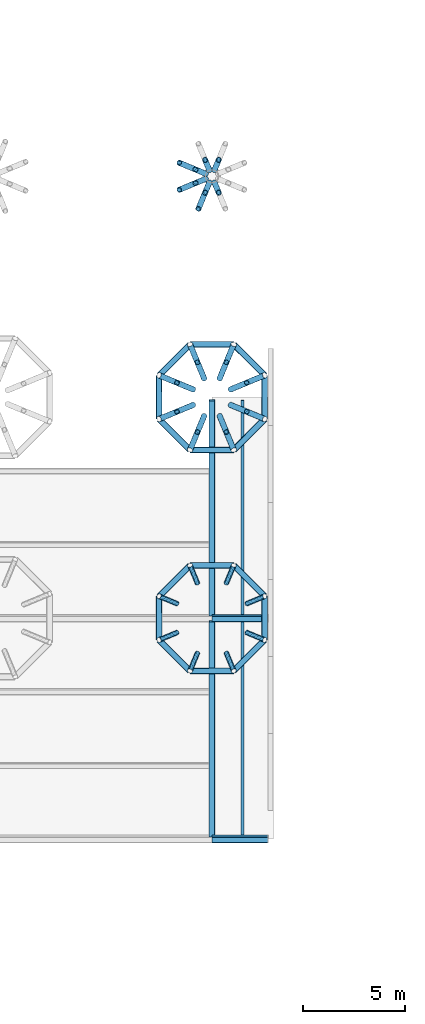
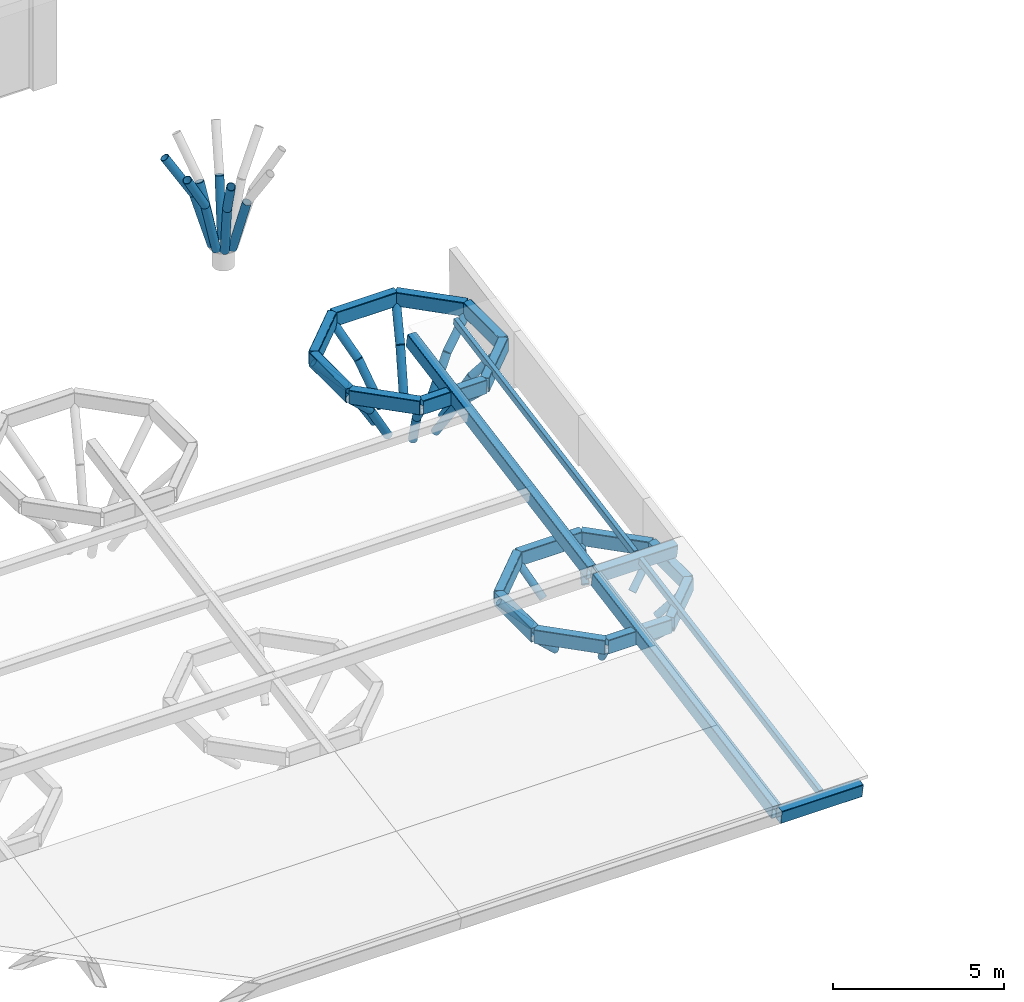
# One storey, part 12 of 42: 33 members, 22 beams.
"""IFC4 building model written with IfcOpenShell, lengths in metres."""

from ifc_helpers import new_model, si_unit, direction, frame, origin, origin_2d, place, context, subcontext, project, spatial, hollow_rectangle, hollow_circle, extrude, clip, halfspace, material, material_profile, profile_set, type_object, element, save


model = new_model("IFC4")

# Units and contexts
model_context = context("Model", 3, precision=1e-05, world=origin(), true_north=direction((0.0, 1.0)))
body_context = subcontext(model_context, "Body", "Model", "MODEL_VIEW")
ifc_project = project(units=[si_unit("LENGTHUNIT", "METRE"), si_unit("AREAUNIT", "SQUARE_METRE"), si_unit("VOLUMEUNIT", "CUBIC_METRE"), si_unit("PLANEANGLEUNIT", "RADIAN"), si_unit("MASSUNIT", "GRAM", prefix="KILO")], contexts=[model_context])

# Site, building, storey
site_placement = place(None, origin())
site = spatial("IfcSite", under=ifc_project, at=site_placement, CompositionType="ELEMENT")
building_placement = place(site_placement, origin())
building = spatial("IfcBuilding", under=site, at=building_placement, Name="Magnolia Steps Interchange", CompositionType="ELEMENT")
storey_placement = place(building_placement, frame((0.0, 0.0, 12.60009765625)))
storey = spatial("IfcBuildingStorey", under=building, at=storey_placement, Name="L03", CompositionType="ELEMENT", Elevation=12.60009765625)

# Beams
ifc_material_1 = material(Name="Steel Q355B", Category="steel")
ifc_material_profile_1 = material_profile(ifc_material_1, hollow_rectangle(XDim=0.300048828125, YDim=0.5, WallThickness=0.01611328125, InnerFilletRadius=0.01611328125, OuterFilletRadius=0.031982421875, at=origin_2d()), Name="RHS500x300x16")
ifc_profile_set_1 = profile_set([ifc_material_profile_1], Name="Steel Q355B")
beam_type_1 = type_object("IfcBeamType", Name="Ring beam RHS500x300x16", PredefinedType="BEAM", material=ifc_profile_set_1)
beam_1_placement = place(storey_placement, frame((120.580078125, 65.068603515625, 1.5), z_axis=(-0.707106781187, 0.707106781187, 0.0), x_axis=(-0.707106781187, -0.707106781187, 0.0)))
element("IfcBeam", 1, at=beam_1_placement, inside=storey, type_object=beam_type_1, Name="Ring beam TH07C", PredefinedType="BEAM", context=body_context, shape_type="Clipping", body=[
    clip(clip(extrude(hollow_rectangle(XDim=0.300048828125, YDim=0.5, WallThickness=0.01611328125, InnerFilletRadius=0.01611328125, OuterFilletRadius=0.031982421875, at=origin_2d()), origin(), (0.0, 0.0, 1.0), 2.137451171875), halfspace(frame((0.0, 0.0, 0.0), z_axis=(0.382683433, 0.0, -0.923879532), x_axis=(0.923879532, 0.0, 0.382683433)), False)), halfspace(frame((0.0, 0.0, 2.137547892), z_axis=(0.382683433, 0.0, 0.923879532), x_axis=(0.923879532, 0.0, -0.382683433)), False)),
])
beam_2_placement = place(storey_placement, frame((119.068603515625, 66.580078125, 1.5), z_axis=(-1.0, 0.0, 0.0), x_axis=(0.0, -1.0, 0.0)))
element("IfcBeam", 2, at=beam_2_placement, inside=storey, type_object=beam_type_1, Name="Ring beam TH07C", PredefinedType="BEAM", context=body_context, shape_type="Clipping", body=[
    clip(clip(extrude(hollow_rectangle(XDim=0.300048828125, YDim=0.5, WallThickness=0.01611328125, InnerFilletRadius=0.01611328125, OuterFilletRadius=0.031982421875, at=origin_2d()), origin(), (0.0, 0.0, 1.0), 2.13720703125), halfspace(frame((0.0, 0.0, 0.0), z_axis=(0.382683432, 0.0, -0.923879533), x_axis=(0.923879533, 0.0, 0.382683432)), False)), halfspace(frame((0.0, 0.0, 2.137207031), z_axis=(0.382683432, 0.0, 0.923879533), x_axis=(0.923879533, 0.0, -0.382683432)), False)),
])
beam_3_placement = place(storey_placement, frame((116.931396484375, 66.580078125, 1.5), z_axis=(-0.707106781187, -0.707106781187, 0.0), x_axis=(0.707106781187, -0.707106781187, 0.0)))
element("IfcBeam", 3, at=beam_3_placement, inside=storey, type_object=beam_type_1, Name="Ring beam TH07C", PredefinedType="BEAM", context=body_context, shape_type="Clipping", body=[
    clip(clip(extrude(hollow_rectangle(XDim=0.300048828125, YDim=0.5, WallThickness=0.01611328125, InnerFilletRadius=0.01611328125, OuterFilletRadius=0.031982421875, at=origin_2d()), origin(), (0.0, 0.0, 1.0), 2.137451171875), halfspace(frame((0.0, 0.0, 0.0), z_axis=(0.382683433, 0.0, -0.923879532), x_axis=(0.923879532, 0.0, 0.382683433)), False)), halfspace(frame((0.0, 0.0, 2.137547892), z_axis=(0.382683433, 0.0, 0.923879532), x_axis=(0.923879532, 0.0, -0.382683433)), False)),
])
beam_4_placement = place(storey_placement, frame((115.419921875, 65.068603515625, 1.5), z_axis=(0.0, -1.0, 0.0), x_axis=(1.0, 0.0, 0.0)))
element("IfcBeam", 4, at=beam_4_placement, inside=storey, type_object=beam_type_1, Name="Ring beam TH07C", PredefinedType="BEAM", context=body_context, shape_type="Clipping", body=[
    clip(clip(extrude(hollow_rectangle(XDim=0.300048828125, YDim=0.5, WallThickness=0.01611328125, InnerFilletRadius=0.01611328125, OuterFilletRadius=0.031982421875, at=origin_2d()), origin(), (0.0, 0.0, 1.0), 2.13720703125), halfspace(frame((0.0, 0.0, 0.0), z_axis=(0.382683432, 0.0, -0.923879533), x_axis=(0.923879533, 0.0, 0.382683432)), False)), halfspace(frame((0.0, 0.0, 2.137207031), z_axis=(0.382683432, 0.0, 0.923879533), x_axis=(0.923879533, 0.0, -0.382683432)), False)),
])
beam_5_placement = place(storey_placement, frame((115.419921875, 62.931396484375, 1.5), z_axis=(0.707106781187, -0.707106781187, 0.0), x_axis=(0.707106781187, 0.707106781187, 0.0)))
element("IfcBeam", 5, at=beam_5_placement, inside=storey, type_object=beam_type_1, Name="Ring beam TH07C", PredefinedType="BEAM", context=body_context, shape_type="Clipping", body=[
    clip(clip(extrude(hollow_rectangle(XDim=0.300048828125, YDim=0.5, WallThickness=0.01611328125, InnerFilletRadius=0.01611328125, OuterFilletRadius=0.031982421875, at=origin_2d()), origin(), (0.0, 0.0, 1.0), 2.137451171875), halfspace(frame((0.0, 0.0, 0.0), z_axis=(0.382683433, 0.0, -0.923879532), x_axis=(0.923879532, 0.0, 0.382683433)), False)), halfspace(frame((0.0, 0.0, 2.137547892), z_axis=(0.382683433, 0.0, 0.923879532), x_axis=(0.923879532, 0.0, -0.382683433)), False)),
])
beam_6_placement = place(storey_placement, frame((116.931396484375, 61.419921875, 1.5), z_axis=(1.0, 0.0, 0.0), x_axis=(0.0, 1.0, 0.0)))
element("IfcBeam", 6, at=beam_6_placement, inside=storey, type_object=beam_type_1, Name="Ring beam TH07C", PredefinedType="BEAM", context=body_context, shape_type="Clipping", body=[
    clip(clip(extrude(hollow_rectangle(XDim=0.300048828125, YDim=0.5, WallThickness=0.01611328125, InnerFilletRadius=0.01611328125, OuterFilletRadius=0.031982421875, at=origin_2d()), origin(), (0.0, 0.0, 1.0), 2.13720703125), halfspace(frame((0.0, 0.0, 0.0), z_axis=(0.382683432, 0.0, -0.923879533), x_axis=(0.923879533, 0.0, 0.382683432)), False)), halfspace(frame((0.0, 0.0, 2.137207031), z_axis=(0.382683432, 0.0, 0.923879533), x_axis=(0.923879533, 0.0, -0.382683432)), False)),
])
beam_7_placement = place(storey_placement, frame((119.068603515625, 61.419921875, 1.5), z_axis=(0.707106781187, 0.707106781187, 0.0), x_axis=(-0.707106781187, 0.707106781187, 0.0)))
element("IfcBeam", 7, at=beam_7_placement, inside=storey, type_object=beam_type_1, Name="Ring beam TH07C", PredefinedType="BEAM", context=body_context, shape_type="Clipping", body=[
    clip(clip(extrude(hollow_rectangle(XDim=0.300048828125, YDim=0.5, WallThickness=0.01611328125, InnerFilletRadius=0.01611328125, OuterFilletRadius=0.031982421875, at=origin_2d()), origin(), (0.0, 0.0, 1.0), 2.137451171875), halfspace(frame((0.0, 0.0, 0.0), z_axis=(0.382683433, 0.0, -0.923879532), x_axis=(0.923879532, 0.0, 0.382683433)), False)), halfspace(frame((0.0, 0.0, 2.137547892), z_axis=(0.382683433, 0.0, 0.923879532), x_axis=(0.923879532, 0.0, -0.382683433)), False)),
])
beam_8_placement = place(storey_placement, frame((120.580078125, 62.931396484375, 1.5), z_axis=(0.0, 1.0, 0.0), x_axis=(-1.0, 0.0, 0.0)))
element("IfcBeam", 8, at=beam_8_placement, inside=storey, type_object=beam_type_1, Name="Ring beam TH07C", PredefinedType="BEAM", context=body_context, shape_type="Clipping", body=[
    clip(clip(extrude(hollow_rectangle(XDim=0.300048828125, YDim=0.5, WallThickness=0.01611328125, InnerFilletRadius=0.01611328125, OuterFilletRadius=0.031982421875, at=origin_2d()), origin(), (0.0, 0.0, 1.0), 2.13720703125), halfspace(frame((0.0, 0.0, 0.0), z_axis=(0.382683432, 0.0, -0.923879533), x_axis=(0.923879533, 0.0, 0.382683432)), False)), halfspace(frame((0.0, 0.0, 2.137207031), z_axis=(0.382683432, 0.0, 0.923879533), x_axis=(0.923879533, 0.0, -0.382683432)), False)),
])
beam_9_placement = place(storey_placement, frame((120.580078125, 75.86865234375, 3.4755859375), z_axis=(-0.707163891131, 0.707049666629, 0.0), x_axis=(-0.707049666629, -0.707163891131, 0.0)))
element("IfcBeam", 9, at=beam_9_placement, inside=storey, type_object=beam_type_1, Name="Ring beam TH07D", PredefinedType="BEAM", context=body_context, shape_type="Clipping", body=[
    clip(clip(extrude(hollow_rectangle(XDim=0.300048828125, YDim=0.5, WallThickness=0.01611328125, InnerFilletRadius=0.01611328125, OuterFilletRadius=0.031982421875, at=origin_2d()), origin(), (0.0, 0.0, 1.0), 2.137451171875), halfspace(frame((0.0, 0.0, 0.0), z_axis=(0.382758052, 0.0, -0.92384862), x_axis=(0.923848621, 0.0, 0.382758052)), False)), halfspace(frame((0.0, 0.0, 2.137375265), z_axis=(0.382608811, 0.0, 0.923910438), x_axis=(0.923910438, 0.0, -0.382608811)), False)),
])
beam_10_placement = place(storey_placement, frame((119.068603515625, 77.3798828125, 3.4755859375), z_axis=(-1.0, 0.0, 0.0), x_axis=(0.0, -1.0, 0.0)))
element("IfcBeam", 10, at=beam_10_placement, inside=storey, type_object=beam_type_1, Name="Ring beam TH07D", PredefinedType="BEAM", context=body_context, shape_type="Clipping", body=[
    clip(clip(extrude(hollow_rectangle(XDim=0.300048828125, YDim=0.5, WallThickness=0.01611328125, InnerFilletRadius=0.01611328125, OuterFilletRadius=0.031982421875, at=origin_2d()), origin(), (0.0, 0.0, 1.0), 2.13720703125), halfspace(frame((0.0, 0.0, 0.0), z_axis=(0.382683432, 0.0, -0.923879533), x_axis=(0.923879533, 0.0, 0.382683432)), False)), halfspace(frame((0.0, 0.0, 2.137207031), z_axis=(0.382683432, 0.0, 0.923879533), x_axis=(0.923879533, 0.0, -0.382683432)), False)),
])
beam_11_placement = place(storey_placement, frame((116.931396484375, 77.3798828125, 3.4755859375), z_axis=(-0.707163891131, -0.707049666629, 0.0), x_axis=(0.707049666629, -0.707163891131, 0.0)))
element("IfcBeam", 11, at=beam_11_placement, inside=storey, type_object=beam_type_1, Name="Ring beam TH07D", PredefinedType="BEAM", context=body_context, shape_type="Clipping", body=[
    clip(clip(extrude(hollow_rectangle(XDim=0.300048828125, YDim=0.5, WallThickness=0.01611328125, InnerFilletRadius=0.01611328125, OuterFilletRadius=0.031982421875, at=origin_2d()), origin(), (0.0, 0.0, 1.0), 2.137451171875), halfspace(frame((0.0, 0.0, 0.0), z_axis=(0.382608811, 0.0, -0.923910438), x_axis=(0.923910438, 0.0, 0.382608811)), False)), halfspace(frame((0.0, 0.0, 2.137375265), z_axis=(0.382758052, 0.0, 0.92384862), x_axis=(0.923848621, 0.0, -0.382758052)), False)),
])
beam_12_placement = place(storey_placement, frame((115.419921875, 75.86865234375, 3.4755859375), z_axis=(0.0, -1.0, 0.0), x_axis=(1.0, 0.0, 0.0)))
element("IfcBeam", 12, at=beam_12_placement, inside=storey, type_object=beam_type_1, Name="Ring beam TH07D", PredefinedType="BEAM", context=body_context, shape_type="Clipping", body=[
    clip(clip(extrude(hollow_rectangle(XDim=0.300048828125, YDim=0.5, WallThickness=0.01611328125, InnerFilletRadius=0.01611328125, OuterFilletRadius=0.031982421875, at=origin_2d()), origin(), (0.0, 0.0, 1.0), 2.137451171875), halfspace(frame((0.0, 0.0, 0.0), z_axis=(0.382683432, 0.0, -0.923879533), x_axis=(0.923879533, 0.0, 0.382683432)), False)), halfspace(frame((0.0, 0.0, 2.137451172), z_axis=(0.382683432, 0.0, 0.923879533), x_axis=(0.923879533, 0.0, -0.382683432)), False)),
])
beam_13_placement = place(storey_placement, frame((115.419921875, 73.731201171875, 3.4755859375), z_axis=(0.707163891131, -0.707049666629, 0.0), x_axis=(0.707049666629, 0.707163891131, 0.0)))
element("IfcBeam", 13, at=beam_13_placement, inside=storey, type_object=beam_type_1, Name="Ring beam TH07D", PredefinedType="BEAM", context=body_context, shape_type="Clipping", body=[
    clip(clip(extrude(hollow_rectangle(XDim=0.300048828125, YDim=0.5, WallThickness=0.01611328125, InnerFilletRadius=0.01611328125, OuterFilletRadius=0.031982421875, at=origin_2d()), origin(), (0.0, 0.0, 1.0), 2.137451171875), halfspace(frame((0.0, 0.0, 0.0), z_axis=(0.382758052, 0.0, -0.92384862), x_axis=(0.923848621, 0.0, 0.382758052)), False)), halfspace(frame((0.0, 0.0, 2.137375265), z_axis=(0.382608811, 0.0, 0.923910438), x_axis=(0.923910438, 0.0, -0.382608811)), False)),
])
beam_14_placement = place(storey_placement, frame((116.931396484375, 72.219970703125, 3.4755859375), z_axis=(1.0, 0.0, 0.0), x_axis=(0.0, 1.0, 0.0)))
element("IfcBeam", 14, at=beam_14_placement, inside=storey, type_object=beam_type_1, Name="Ring beam TH07D", PredefinedType="BEAM", context=body_context, shape_type="Clipping", body=[
    clip(clip(extrude(hollow_rectangle(XDim=0.300048828125, YDim=0.5, WallThickness=0.01611328125, InnerFilletRadius=0.01611328125, OuterFilletRadius=0.031982421875, at=origin_2d()), origin(), (0.0, 0.0, 1.0), 2.13720703125), halfspace(frame((0.0, 0.0, 0.0), z_axis=(0.382683432, 0.0, -0.923879533), x_axis=(0.923879533, 0.0, 0.382683432)), False)), halfspace(frame((0.0, 0.0, 2.137207031), z_axis=(0.382683432, 0.0, 0.923879533), x_axis=(0.923879533, 0.0, -0.382683432)), False)),
])
beam_15_placement = place(storey_placement, frame((119.068603515625, 72.219970703125, 3.4755859375), z_axis=(0.707163891131, 0.707049666629, 0.0), x_axis=(-0.707049666629, 0.707163891131, 0.0)))
element("IfcBeam", 15, at=beam_15_placement, inside=storey, type_object=beam_type_1, Name="Ring beam TH07D", PredefinedType="BEAM", context=body_context, shape_type="Clipping", body=[
    clip(clip(extrude(hollow_rectangle(XDim=0.300048828125, YDim=0.5, WallThickness=0.01611328125, InnerFilletRadius=0.01611328125, OuterFilletRadius=0.031982421875, at=origin_2d()), origin(), (0.0, 0.0, 1.0), 2.137451171875), halfspace(frame((0.0, 0.0, 0.0), z_axis=(0.382608811, 0.0, -0.923910438), x_axis=(0.923910438, 0.0, 0.382608811)), False)), halfspace(frame((0.0, 0.0, 2.137375265), z_axis=(0.382758052, 0.0, 0.92384862), x_axis=(0.923848621, 0.0, -0.382758052)), False)),
])
beam_16_placement = place(storey_placement, frame((120.580078125, 73.731201171875, 3.4755859375), z_axis=(0.0, 1.0, 0.0), x_axis=(-1.0, 0.0, 0.0)))
element("IfcBeam", 16, at=beam_16_placement, inside=storey, type_object=beam_type_1, Name="Ring beam TH07D", PredefinedType="BEAM", context=body_context, shape_type="Clipping", body=[
    clip(clip(extrude(hollow_rectangle(XDim=0.300048828125, YDim=0.5, WallThickness=0.01611328125, InnerFilletRadius=0.01611328125, OuterFilletRadius=0.031982421875, at=origin_2d()), origin(), (0.0, 0.0, 1.0), 2.137451171875), halfspace(frame((0.0, 0.0, 0.0), z_axis=(0.382683432, 0.0, -0.923879533), x_axis=(0.923879533, 0.0, 0.382683432)), False)), halfspace(frame((0.0, 0.0, 2.137451172), z_axis=(0.382683432, 0.0, 0.923879533), x_axis=(0.923879533, 0.0, -0.382683432)), False)),
])
ifc_material_2 = material(Name="Steel Q355B", Category="steel")
ifc_material_profile_2 = material_profile(ifc_material_2, hollow_rectangle(XDim=0.300048828125, YDim=0.5, WallThickness=0.01611328125, InnerFilletRadius=0.01611328125, OuterFilletRadius=0.031982421875, at=origin_2d()), Name="RHS500x300x16")
ifc_profile_set_2 = profile_set([ifc_material_profile_2], Name="Steel Q355B")
beam_type_2 = type_object("IfcBeamType", Name="Roof beam RHS500x300x16", PredefinedType="BEAM", material=ifc_profile_set_2)
for number, where, z_axis, x_axis, name in (
    (17, (118.0, 53.199951171875, 0.068603515625), (1.0, 0.0, 0.0), (0.0, 0.98367737698, 0.17994115154), "Roof beam"),
    (18, (118.0, 64.0, 2.044189453125), (1.0, 0.0, 0.0), (0.0, 0.98367737698, 0.17994115154), "Roof beam"),
):
    element("IfcBeam", number, at=place(storey_placement, frame(where, z_axis=z_axis, x_axis=x_axis)), inside=storey, type_object=beam_type_2, Name=name, PredefinedType="BEAM", context=body_context, shape_type="SweptSolid", body=[
        extrude(hollow_rectangle(XDim=0.300048828125, YDim=0.5, WallThickness=0.01611328125, InnerFilletRadius=0.01611328125, OuterFilletRadius=0.031982421875, at=origin_2d()), origin(), (0.0, 0.0, 1.0), 2.739990234375),
    ])
for number, where, z_axis, x_axis, name in (
    (19, (118.0, 53.35009765625, 0.095947265625), (0.0, 0.983678690331, 0.179933971746), (-1.0, 0.0, 0.0), "Roof beam"),
    (20, (118.0, 64.14990234375, 2.071533203125), (0.0, 0.983678690331, 0.179933971746), (-1.0, 0.0, 0.0), "Roof beam"),
):
    element("IfcBeam", number, at=place(storey_placement, frame(where, z_axis=z_axis, x_axis=x_axis)), inside=storey, type_object=beam_type_2, Name=name, PredefinedType="BEAM", context=body_context, shape_type="SweptSolid", body=[
        extrude(hollow_rectangle(XDim=0.300048828125, YDim=0.5, WallThickness=0.01611328125, InnerFilletRadius=0.01611328125, OuterFilletRadius=0.031982421875, at=origin_2d()), origin(), (0.0, 0.0, 1.0), 10.67431640625),
    ])
ifc_material_3 = material(Name="Steel Q355B", Category="steel")
ifc_material_profile_3 = material_profile(ifc_material_3, hollow_rectangle(XDim=0.14990234375, YDim=0.25, WallThickness=0.008056640625, InnerFilletRadius=0.008056640625, OuterFilletRadius=0.01611328125, at=origin_2d()), Name="RHS250x150x8")
ifc_profile_set_3 = profile_set([ifc_material_profile_3], Name="Steel Q355B")
beam_type_3 = type_object("IfcBeamType", Name="Roof edge joist RHS250x150x8", PredefinedType="BEAM", material=ifc_profile_set_3)
for number, where, z_axis, x_axis, name in (
    (21, (119.5, 53.35009765625, 0.222900390625), (0.0, 0.98367464182, 0.179956103093), (-1.0, 0.0, 0.0), "Roof edge joist"),
    (22, (119.5, 64.14990234375, 2.198486328125), (0.0, 0.98367464182, 0.179956103093), (-1.0, 0.0, 0.0), "Roof edge joist"),
):
    element("IfcBeam", number, at=place(storey_placement, frame(where, z_axis=z_axis, x_axis=x_axis)), inside=storey, type_object=beam_type_3, Name=name, PredefinedType="BEAM", context=body_context, shape_type="SweptSolid", body=[
        extrude(hollow_rectangle(XDim=0.14990234375, YDim=0.25, WallThickness=0.008056640625, InnerFilletRadius=0.008056640625, OuterFilletRadius=0.01611328125, at=origin_2d()), origin(), (0.0, 0.0, 1.0), 10.67431640625),
    ])

# Members
ifc_material_4 = material(Name="Steel Q355B", Category="steel")
ifc_material_profile_4 = material_profile(ifc_material_4, hollow_circle(Radius=0.12255859375, WallThickness=0.011962890625, at=origin_2d()), Name="CHS245x12")
ifc_profile_set_4 = profile_set([ifc_material_profile_4], Name="Steel Q355B")
member_type_1 = type_object("IfcMemberType", Name="Tree rib CHS245x12", PredefinedType="USERDEFINED", material=ifc_profile_set_4)
for number, where, z_axis, x_axis, name in (
    (23, (119.705078125, 64.706298828125, 0.435546875), (0.6647035969, 0.275228833092, 0.694563328792), (-0.382564297979, 0.923928870591, 0.0), "Tree rib TH07C"),
    (24, (118.706298828125, 65.705078125, 0.435546875), (0.275228833092, 0.6647035969, 0.694563328792), (-0.923928870591, 0.382564297979, 0.0), "Tree rib TH07C"),
    (25, (117.293701171875, 65.705078125, 0.435546875), (-0.275228833092, 0.6647035969, 0.694563328792), (-0.923928870591, -0.382564297979, 0.0), "Tree rib TH07C"),
    (26, (116.294921875, 64.706298828125, 0.435546875), (-0.6647035969, 0.275228833092, 0.694563328792), (-0.382564297979, -0.923928870591, 0.0), "Tree rib TH07C"),
    (27, (116.294921875, 63.293701171875, 0.435546875), (-0.6647035969, -0.275228833092, 0.694563328792), (0.382564297979, -0.923928870591, 0.0), "Tree rib TH07C"),
    (28, (117.293701171875, 62.294921875, 0.435546875), (-0.275228833092, -0.6647035969, 0.694563328792), (0.923928870591, -0.382564297979, 0.0), "Tree rib TH07C"),
    (29, (118.706298828125, 62.294921875, 0.435546875), (0.275228833092, -0.6647035969, 0.694563328792), (0.923928870591, 0.382564297979, 0.0), "Tree rib TH07C"),
    (30, (119.705078125, 63.293701171875, 0.435546875), (0.6647035969, -0.275228833092, 0.694563328792), (0.382564297979, 0.923928870591, 0.0), "Tree rib TH07C"),
):
    element("IfcMember", number, at=place(storey_placement, frame(where, z_axis=z_axis, x_axis=x_axis)), inside=storey, type_object=member_type_1, Name=name, ObjectType="TREE RIB", PredefinedType="USERDEFINED", context=body_context, shape_type="SweptSolid", body=[
        extrude(hollow_circle(Radius=0.12255859375, WallThickness=0.011962890625, at=origin_2d()), origin(), (0.0, 0.0, 1.0), 1.31640625),
    ])
ifc_material_5 = material(Name="Steel Q355B", Category="steel")
ifc_material_profile_5 = material_profile(ifc_material_5, hollow_circle(Radius=0.136474609375, WallThickness=0.013916015625, at=origin_2d()), Name="CHS273x14")
ifc_profile_set_5 = profile_set([ifc_material_profile_5], Name="Steel Q355B")
member_type_2 = type_object("IfcMemberType", Name="Tree rib CHS273x14", PredefinedType="USERDEFINED", material=ifc_profile_set_5)
member_1_placement = place(storey_placement, frame((118.912109375, 75.177734375, 1.037109375), z_axis=(0.489456434015, 0.202835086264, 0.848109855491), x_axis=(-0.38283742983, 0.923815729635, 0.0)))
element("IfcMember", 31, at=member_1_placement, inside=storey, type_object=member_type_2, Name="Tree rib TH07D", ObjectType="TREE RIB", PredefinedType="USERDEFINED", context=body_context, shape_type="SweptSolid", body=[
    extrude(hollow_circle(Radius=0.136474609375, WallThickness=0.013916015625, at=origin_2d()), origin(), (0.0, 0.0, 1.0), 1.6201171875),
])
member_2_placement = place(storey_placement, frame((119.705078125, 75.50634765625, 2.4111328125), z_axis=(0.6647035969, 0.275228833092, 0.694563328792), x_axis=(-0.382564297979, 0.923928870591, 0.0)))
element("IfcMember", 32, at=member_2_placement, inside=storey, type_object=member_type_2, Name="Tree rib TH07D", ObjectType="TREE RIB", PredefinedType="USERDEFINED", context=body_context, shape_type="SweptSolid", body=[
    extrude(hollow_circle(Radius=0.136474609375, WallThickness=0.013916015625, at=origin_2d()), origin(), (0.0, 0.0, 1.0), 1.31640625),
])
member_3_placement = place(storey_placement, frame((118.377685546875, 75.7119140625, 1.037109375), z_axis=(0.202820124805, 0.489571014481, 0.848047297475), x_axis=(-0.923857399968, 0.382736860682, 0.0)))
element("IfcMember", 33, at=member_3_placement, inside=storey, type_object=member_type_2, Name="Tree rib TH07D", ObjectType="TREE RIB", PredefinedType="USERDEFINED", context=body_context, shape_type="SweptSolid", body=[
    extrude(hollow_circle(Radius=0.136474609375, WallThickness=0.013916015625, at=origin_2d()), origin(), (0.0, 0.0, 1.0), 1.6201171875),
])
member_4_placement = place(storey_placement, frame((118.706298828125, 76.505126953125, 2.4111328125), z_axis=(0.275262764485, 0.664600057379, 0.694648957546), x_axis=(-0.92389112775, 0.382655437784, 0.0)))
element("IfcMember", 34, at=member_4_placement, inside=storey, type_object=member_type_2, Name="Tree rib TH07D", ObjectType="TREE RIB", PredefinedType="USERDEFINED", context=body_context, shape_type="SweptSolid", body=[
    extrude(hollow_circle(Radius=0.136474609375, WallThickness=0.013916015625, at=origin_2d()), origin(), (0.0, 0.0, 1.0), 1.316162109375),
])
member_5_placement = place(storey_placement, frame((117.622314453125, 75.7119140625, 1.037109375), z_axis=(-0.202820124805, 0.489571014481, 0.848047297475), x_axis=(-0.923857399968, -0.382736860682, 0.0)))
element("IfcMember", 35, at=member_5_placement, inside=storey, type_object=member_type_2, Name="Tree rib TH07D", ObjectType="TREE RIB", PredefinedType="USERDEFINED", context=body_context, shape_type="SweptSolid", body=[
    extrude(hollow_circle(Radius=0.136474609375, WallThickness=0.013916015625, at=origin_2d()), origin(), (0.0, 0.0, 1.0), 1.6201171875),
])
member_6_placement = place(storey_placement, frame((117.293701171875, 76.505126953125, 2.4111328125), z_axis=(-0.275262764485, 0.664600057379, 0.694648957546), x_axis=(-0.92389112775, -0.382655437784, 0.0)))
element("IfcMember", 36, at=member_6_placement, inside=storey, type_object=member_type_2, Name="Tree rib TH07D", ObjectType="TREE RIB", PredefinedType="USERDEFINED", context=body_context, shape_type="SweptSolid", body=[
    extrude(hollow_circle(Radius=0.136474609375, WallThickness=0.013916015625, at=origin_2d()), origin(), (0.0, 0.0, 1.0), 1.316162109375),
])
member_7_placement = place(storey_placement, frame((117.087890625, 75.177734375, 1.037109375), z_axis=(-0.489456434015, 0.202835086264, 0.848109855491), x_axis=(-0.38283742983, -0.923815729635, 0.0)))
element("IfcMember", 37, at=member_7_placement, inside=storey, type_object=member_type_2, Name="Tree rib TH07D", ObjectType="TREE RIB", PredefinedType="USERDEFINED", context=body_context, shape_type="SweptSolid", body=[
    extrude(hollow_circle(Radius=0.136474609375, WallThickness=0.013916015625, at=origin_2d()), origin(), (0.0, 0.0, 1.0), 1.6201171875),
])
member_8_placement = place(storey_placement, frame((116.294921875, 75.50634765625, 2.4111328125), z_axis=(-0.6647035969, 0.275228833092, 0.694563328792), x_axis=(-0.382564297979, -0.923928870591, 0.0)))
element("IfcMember", 38, at=member_8_placement, inside=storey, type_object=member_type_2, Name="Tree rib TH07D", ObjectType="TREE RIB", PredefinedType="USERDEFINED", context=body_context, shape_type="SweptSolid", body=[
    extrude(hollow_circle(Radius=0.136474609375, WallThickness=0.013916015625, at=origin_2d()), origin(), (0.0, 0.0, 1.0), 1.31640625),
])
member_9_placement = place(storey_placement, frame((117.087890625, 74.42236328125, 1.037109375), z_axis=(-0.489456434015, -0.202835086264, 0.848109855491), x_axis=(0.38283742983, -0.923815729635, 0.0)))
element("IfcMember", 39, at=member_9_placement, inside=storey, type_object=member_type_2, Name="Tree rib TH07D", ObjectType="TREE RIB", PredefinedType="USERDEFINED", context=body_context, shape_type="SweptSolid", body=[
    extrude(hollow_circle(Radius=0.136474609375, WallThickness=0.013916015625, at=origin_2d()), origin(), (0.0, 0.0, 1.0), 1.6201171875),
])
member_10_placement = place(storey_placement, frame((116.294921875, 74.09375, 2.4111328125), z_axis=(-0.664669658214, -0.275400235058, 0.694527865517), x_axis=(0.382784328718, -0.923837733418, 0.0)))
element("IfcMember", 40, at=member_10_placement, inside=storey, type_object=member_type_2, Name="Tree rib TH07D", ObjectType="TREE RIB", PredefinedType="USERDEFINED", context=body_context, shape_type="SweptSolid", body=[
    extrude(hollow_circle(Radius=0.136474609375, WallThickness=0.013916015625, at=origin_2d()), origin(), (0.0, 0.0, 1.0), 1.31640625),
])
member_11_placement = place(storey_placement, frame((117.622314453125, 73.887939453125, 1.037109375), z_axis=(-0.202820124805, -0.489571014481, 0.848047297475), x_axis=(0.923857399968, -0.382736860682, 0.0)))
element("IfcMember", 41, at=member_11_placement, inside=storey, type_object=member_type_2, Name="Tree rib TH07D", ObjectType="TREE RIB", PredefinedType="USERDEFINED", context=body_context, shape_type="SweptSolid", body=[
    extrude(hollow_circle(Radius=0.136474609375, WallThickness=0.013916015625, at=origin_2d()), origin(), (0.0, 0.0, 1.0), 1.6201171875),
])
member_12_placement = place(storey_placement, frame((117.293701171875, 73.0947265625, 2.4111328125), z_axis=(-0.275262764485, -0.664600057379, 0.694648957546), x_axis=(0.92389112775, -0.382655437784, 0.0)))
element("IfcMember", 42, at=member_12_placement, inside=storey, type_object=member_type_2, Name="Tree rib TH07D", ObjectType="TREE RIB", PredefinedType="USERDEFINED", context=body_context, shape_type="SweptSolid", body=[
    extrude(hollow_circle(Radius=0.136474609375, WallThickness=0.013916015625, at=origin_2d()), origin(), (0.0, 0.0, 1.0), 1.316162109375),
])
member_13_placement = place(storey_placement, frame((118.377685546875, 73.887939453125, 1.037109375), z_axis=(0.202820124805, -0.489571014481, 0.848047297475), x_axis=(0.923857399968, 0.382736860682, 0.0)))
element("IfcMember", 43, at=member_13_placement, inside=storey, type_object=member_type_2, Name="Tree rib TH07D", ObjectType="TREE RIB", PredefinedType="USERDEFINED", context=body_context, shape_type="SweptSolid", body=[
    extrude(hollow_circle(Radius=0.136474609375, WallThickness=0.013916015625, at=origin_2d()), origin(), (0.0, 0.0, 1.0), 1.6201171875),
])
member_14_placement = place(storey_placement, frame((118.706298828125, 73.0947265625, 2.4111328125), z_axis=(0.275262764485, -0.664600057379, 0.694648957546), x_axis=(0.92389112775, 0.382655437784, 0.0)))
element("IfcMember", 44, at=member_14_placement, inside=storey, type_object=member_type_2, Name="Tree rib TH07D", ObjectType="TREE RIB", PredefinedType="USERDEFINED", context=body_context, shape_type="SweptSolid", body=[
    extrude(hollow_circle(Radius=0.136474609375, WallThickness=0.013916015625, at=origin_2d()), origin(), (0.0, 0.0, 1.0), 1.316162109375),
])
member_15_placement = place(storey_placement, frame((118.912109375, 74.42236328125, 1.037109375), z_axis=(0.489456434015, -0.202835086264, 0.848109855491), x_axis=(0.38283742983, 0.923815729635, 0.0)))
element("IfcMember", 45, at=member_15_placement, inside=storey, type_object=member_type_2, Name="Tree rib TH07D", ObjectType="TREE RIB", PredefinedType="USERDEFINED", context=body_context, shape_type="SweptSolid", body=[
    extrude(hollow_circle(Radius=0.136474609375, WallThickness=0.013916015625, at=origin_2d()), origin(), (0.0, 0.0, 1.0), 1.6201171875),
])
member_16_placement = place(storey_placement, frame((119.705078125, 74.09375, 2.4111328125), z_axis=(0.664669658214, -0.275400235058, 0.694527865517), x_axis=(0.382784328718, 0.923837733418, 0.0)))
element("IfcMember", 46, at=member_16_placement, inside=storey, type_object=member_type_2, Name="Tree rib TH07D", ObjectType="TREE RIB", PredefinedType="USERDEFINED", context=body_context, shape_type="SweptSolid", body=[
    extrude(hollow_circle(Radius=0.136474609375, WallThickness=0.013916015625, at=origin_2d()), origin(), (0.0, 0.0, 1.0), 1.31640625),
])
for number, where, z_axis, x_axis, name in (
    (47, (118.126220703125, 85.90478515625, 0.72119140625), (0.10555466053, 0.25477850686, 0.96122116398), (-0.923851392797, 0.382751360581, 0.0), "Tree rib TH07E"),
    (48, (117.873779296875, 85.90478515625, 0.72119140625), (-0.10555466053, 0.25477850686, 0.96122116398), (-0.923851392797, -0.382751360581, 0.0), "Tree rib TH07E"),
):
    element("IfcMember", number, at=place(storey_placement, frame(where, z_axis=z_axis, x_axis=x_axis)), inside=storey, type_object=member_type_2, Name=name, ObjectType="TREE RIB", PredefinedType="USERDEFINED", context=body_context, shape_type="SweptSolid", body=[
        extrude(hollow_circle(Radius=0.136474609375, WallThickness=0.013916015625, at=origin_2d()), origin(), (0.0, 0.0, 1.0), 1.956787109375),
    ])
member_17_placement = place(storey_placement, frame((117.695068359375, 85.726318359375, 0.72119140625), z_axis=(-0.254665183401, 0.10543463007, 0.961264366938), x_axis=(-0.382525049986, -0.923945120737, 0.0)))
element("IfcMember", 49, at=member_17_placement, inside=storey, type_object=member_type_2, Name="Tree rib TH07E", ObjectType="TREE RIB", PredefinedType="USERDEFINED", context=body_context, shape_type="SweptSolid", body=[
    extrude(hollow_circle(Radius=0.136474609375, WallThickness=0.013916015625, at=origin_2d()), origin(), (0.0, 0.0, 1.0), 1.95654296875),
])
member_18_placement = place(storey_placement, frame((117.19677734375, 85.9326171875, 2.60205078125), z_axis=(-0.489571014481, 0.202820124805, 0.848047297475), x_axis=(-0.382736860682, -0.923857399968, 0.0)))
element("IfcMember", 50, at=member_18_placement, inside=storey, type_object=member_type_2, Name="Tree rib TH07E", ObjectType="TREE RIB", PredefinedType="USERDEFINED", context=body_context, shape_type="SweptSolid", body=[
    extrude(hollow_circle(Radius=0.136474609375, WallThickness=0.013916015625, at=origin_2d()), origin(), (0.0, 0.0, 1.0), 1.6201171875),
])
member_19_placement = place(storey_placement, frame((117.695068359375, 85.4736328125, 0.72119140625), z_axis=(-0.254665183401, -0.10543463007, 0.961264366938), x_axis=(0.382525049986, -0.923945120737, 0.0)))
element("IfcMember", 51, at=member_19_placement, inside=storey, type_object=member_type_2, Name="Tree rib TH07E", ObjectType="TREE RIB", PredefinedType="USERDEFINED", context=body_context, shape_type="SweptSolid", body=[
    extrude(hollow_circle(Radius=0.136474609375, WallThickness=0.013916015625, at=origin_2d()), origin(), (0.0, 0.0, 1.0), 1.95654296875),
])
member_20_placement = place(storey_placement, frame((117.19677734375, 85.267333984375, 2.60205078125), z_axis=(-0.489571014481, -0.202820124805, 0.848047297475), x_axis=(0.382736860682, -0.923857399968, 0.0)))
element("IfcMember", 52, at=member_20_placement, inside=storey, type_object=member_type_2, Name="Tree rib TH07E", ObjectType="TREE RIB", PredefinedType="USERDEFINED", context=body_context, shape_type="SweptSolid", body=[
    extrude(hollow_circle(Radius=0.136474609375, WallThickness=0.013916015625, at=origin_2d()), origin(), (0.0, 0.0, 1.0), 1.6201171875),
])
member_21_placement = place(storey_placement, frame((117.873779296875, 85.295166015625, 0.72119140625), z_axis=(-0.105558015292, -0.254661831218, 0.961251713719), x_axis=(0.923785071622, -0.382911401564, 0.0)))
element("IfcMember", 53, at=member_21_placement, inside=storey, type_object=member_type_2, Name="Tree rib TH07E", ObjectType="TREE RIB", PredefinedType="USERDEFINED", context=body_context, shape_type="SweptSolid", body=[
    extrude(hollow_circle(Radius=0.136474609375, WallThickness=0.013916015625, at=origin_2d()), origin(), (0.0, 0.0, 1.0), 1.956787109375),
])
member_22_placement = place(storey_placement, frame((117.667236328125, 84.796875, 2.60205078125), z_axis=(-0.202820124805, -0.489571014481, 0.848047297475), x_axis=(0.923857399968, -0.382736860682, 0.0)))
element("IfcMember", 54, at=member_22_placement, inside=storey, type_object=member_type_2, Name="Tree rib TH07E", ObjectType="TREE RIB", PredefinedType="USERDEFINED", context=body_context, shape_type="SweptSolid", body=[
    extrude(hollow_circle(Radius=0.136474609375, WallThickness=0.013916015625, at=origin_2d()), origin(), (0.0, 0.0, 1.0), 1.6201171875),
])
member_23_placement = place(storey_placement, frame((118.126220703125, 85.295166015625, 0.72119140625), z_axis=(0.105558015292, -0.254661831218, 0.961251713719), x_axis=(0.923785071622, 0.382911401564, 0.0)))
element("IfcMember", 55, at=member_23_placement, inside=storey, type_object=member_type_2, Name="Tree rib TH07E", ObjectType="TREE RIB", PredefinedType="USERDEFINED", context=body_context, shape_type="SweptSolid", body=[
    extrude(hollow_circle(Radius=0.136474609375, WallThickness=0.013916015625, at=origin_2d()), origin(), (0.0, 0.0, 1.0), 1.956787109375),
])

save(model, "model.ifc")
